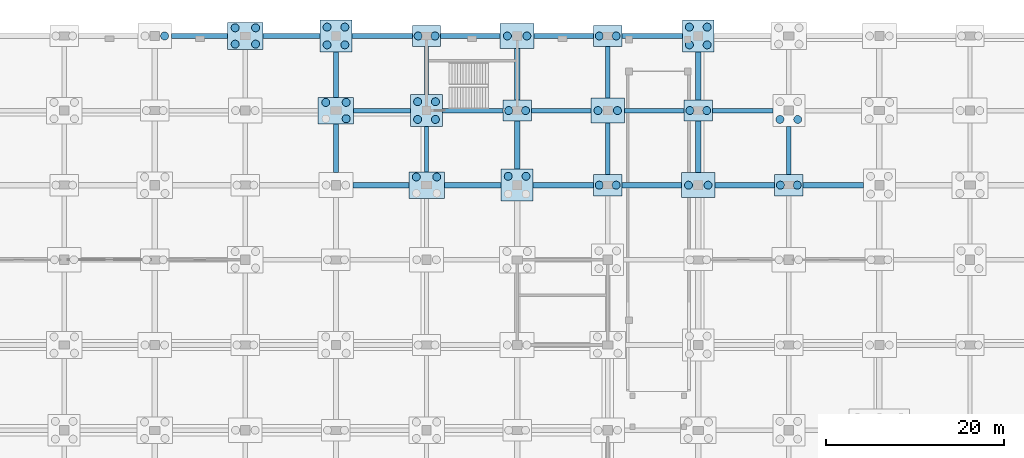
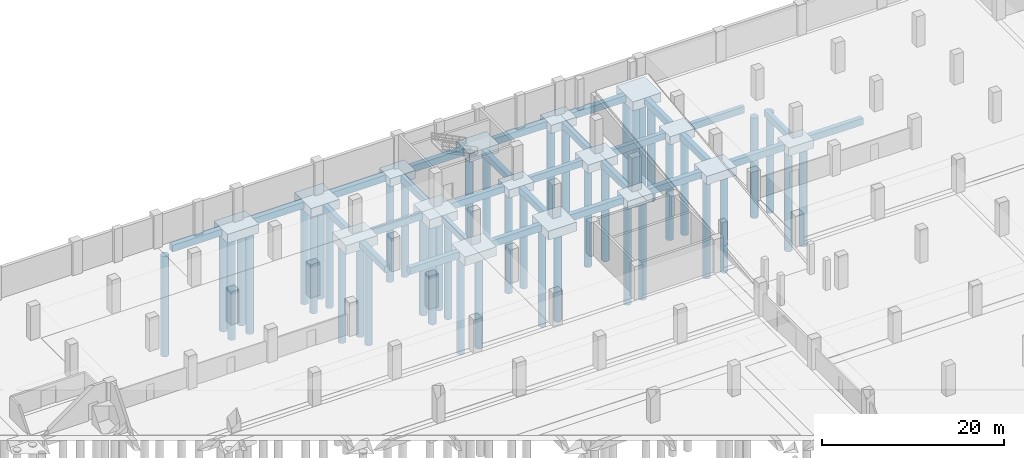
# One storey, part 19 of 52: 44 footings, 44 piles.
"""IFC4 building model written with IfcOpenShell, lengths in metres."""

from ifc_helpers import new_model, si_unit, direction, frame, origin, origin_2d, place, context, subcontext, project, spatial, polyline, rectangle, circle, outline, extrude, material, material_profile, profile_set, type_object, element, save


model = new_model("IFC4")

# Units and contexts
model_context = context("Model", 3, precision=1e-05, world=origin(), true_north=direction((0.0, 1.0)))
body_context = subcontext(model_context, "Body", "Model", "MODEL_VIEW")
ifc_project = project(units=[si_unit("LENGTHUNIT", "METRE"), si_unit("AREAUNIT", "SQUARE_METRE"), si_unit("VOLUMEUNIT", "CUBIC_METRE"), si_unit("PLANEANGLEUNIT", "RADIAN"), si_unit("MASSUNIT", "GRAM", prefix="KILO")], contexts=[model_context])

# Site, building, storey
site_placement = place(None, origin())
site = spatial("IfcSite", under=ifc_project, at=site_placement, CompositionType="ELEMENT")
building_placement = place(site_placement, origin())
building = spatial("IfcBuilding", under=site, at=building_placement, Name="Brelvane Convention Centre", CompositionType="ELEMENT")
storey_placement = place(building_placement, frame((0.0, 0.0, -4.5)))
storey = spatial("IfcBuildingStorey", under=building, at=storey_placement, Name="B1", CompositionType="ELEMENT", Elevation=-4.5)

# Piles
ifc_material_1 = material(Name="Concrete M40", Category="concrete")
ifc_material_profile_1 = material_profile(ifc_material_1, circle(Radius=0.449951171875, at=origin_2d()), Name="PILE D900")
ifc_profile_set_1 = profile_set([ifc_material_profile_1], Name="Concrete M40")
pile_type = type_object("IfcPileType", Name="Bored Pile PL-900", PredefinedType="BORED", material=ifc_profile_set_1)
pile_placement = place(storey_placement, frame((62.300048828125, 144.0, -1.5), z_axis=(0.0, 0.0, -1.0), x_axis=(1.0, 0.0, 0.0)))
element("IfcPile", 1, at=pile_placement, inside=storey, type_object=pile_type, Name="Bored Pile PL-900 7-Q-2", PredefinedType="BORED", context=body_context, shape_type="SweptSolid", body=[
    extrude(circle(Radius=0.449951171875, at=origin_2d()), origin(), (0.0, 0.0, 1.0), 13.5),
])
for number, where, z_axis, x_axis, name in (
    (2, (70.25, 143.080078125, -1.550048828125), (0.0, 0.0, -1.0), (1.0, 0.0, 0.0), "Bored Pile PL-900 8-Q-1"),
    (3, (72.550048828125, 143.080078125, -1.550048828125), (0.0, 0.0, -1.0), (1.0, 0.0, 0.0), "Bored Pile PL-900 8-Q-2"),
    (4, (70.25, 144.919921875, -1.550048828125), (0.0, 0.0, -1.0), (1.0, 0.0, 0.0), "Bored Pile PL-900 8-Q-3"),
    (5, (72.550048828125, 144.919921875, -1.550048828125), (0.0, 0.0, -1.0), (1.0, 0.0, 0.0), "Bored Pile PL-900 8-Q-4"),
    (6, (82.75, 134.679931640625, -1.550048828125), (0.0, 0.0, -1.0), (1.0, 0.0, 0.0), "Bored Pile PL-900 9-P-2"),
    (7, (80.449951171875, 136.52001953125, -1.550048828125), (0.0, 0.0, -1.0), (1.0, 0.0, 0.0), "Bored Pile PL-900 9-P-3"),
    (8, (82.75, 136.52001953125, -1.550048828125), (0.0, 0.0, -1.0), (1.0, 0.0, 0.0), "Bored Pile PL-900 9-P-4"),
    (9, (80.60009765625, 143.0, -1.550048828125), (0.0, 0.0, -1.0), (1.0, 0.0, 0.0), "Bored Pile PL-900 9-Q-1"),
    (10, (82.60009765625, 143.0, -1.550048828125), (0.0, 0.0, -1.0), (1.0, 0.0, 0.0), "Bored Pile PL-900 9-Q-2"),
    (11, (80.60009765625, 145.0, -1.550048828125), (0.0, 0.0, -1.0), (1.0, 0.0, 0.0), "Bored Pile PL-900 9-Q-3"),
    (12, (82.60009765625, 145.0, -1.550048828125), (0.0, 0.0, -1.0), (1.0, 0.0, 0.0), "Bored Pile PL-900 9-Q-4"),
    (13, (90.64990234375, 128.1201171875, -1.550048828125), (0.0, 0.0, -1.0), (1.0, 0.0, 0.0), "Bored Pile PL-900 10-N-3"),
    (14, (92.949951171875, 128.1201171875, -1.550048828125), (0.0, 0.0, -1.0), (1.0, 0.0, 0.0), "Bored Pile PL-900 10-N-4"),
    (15, (90.800048828125, 134.60009765625, -1.550048828125), (0.0, 0.0, -1.0), (1.0, 0.0, 0.0), "Bored Pile PL-900 10-P-1"),
    (16, (92.800048828125, 134.60009765625, -1.550048828125), (0.0, 0.0, -1.0), (1.0, 0.0, 0.0), "Bored Pile PL-900 10-P-2"),
    (17, (90.800048828125, 136.60009765625, -1.550048828125), (0.0, 0.0, -1.0), (1.0, 0.0, 0.0), "Bored Pile PL-900 10-P-3"),
    (18, (92.800048828125, 136.60009765625, -1.550048828125), (0.0, 0.0, -1.0), (1.0, 0.0, 0.0), "Bored Pile PL-900 10-P-4"),
):
    element("IfcPile", number, at=place(storey_placement, frame(where, z_axis=z_axis, x_axis=x_axis)), inside=storey, type_object=pile_type, Name=name, PredefinedType="BORED", context=body_context, shape_type="SweptSolid", body=[
        extrude(circle(Radius=0.449951171875, at=origin_2d()), origin(), (0.0, 0.0, 1.0), 13.449951171875),
    ])
for number, where, z_axis, x_axis, name in (
    (19, (90.85009765625, 144.0, -1.449951171875), (0.0, 0.0, -1.0), (1.0, 0.0, 0.0), "Bored Pile PL-900 10-Q-1"),
    (20, (92.75, 144.0, -1.449951171875), (0.0, 0.0, -1.0), (1.0, 0.0, 0.0), "Bored Pile PL-900 10-Q-2"),
):
    element("IfcPile", number, at=place(storey_placement, frame(where, z_axis=z_axis, x_axis=x_axis)), inside=storey, type_object=pile_type, Name=name, PredefinedType="BORED", context=body_context, shape_type="SweptSolid", body=[
        extrude(circle(Radius=0.449951171875, at=origin_2d()), origin(), (0.0, 0.0, 1.0), 13.550048828125),
    ])
for number, where, z_axis, x_axis, name in (
    (21, (101.0, 128.199951171875, -1.550048828125), (0.0, 0.0, -1.0), (1.0, 0.0, 0.0), "Bored Pile PL-900 11-N-3"),
    (22, (103.0, 128.199951171875, -1.550048828125), (0.0, 0.0, -1.0), (1.0, 0.0, 0.0), "Bored Pile PL-900 11-N-4"),
):
    element("IfcPile", number, at=place(storey_placement, frame(where, z_axis=z_axis, x_axis=x_axis)), inside=storey, type_object=pile_type, Name=name, PredefinedType="BORED", context=body_context, shape_type="SweptSolid", body=[
        extrude(circle(Radius=0.449951171875, at=origin_2d()), origin(), (0.0, 0.0, 1.0), 13.449951171875),
    ])
for number, where, z_axis, x_axis, name in (
    (23, (101.050048828125, 135.60009765625, -1.449951171875), (0.0, 0.0, -1.0), (1.0, 0.0, 0.0), "Bored Pile PL-900 11-P-1"),
    (24, (102.949951171875, 135.60009765625, -1.449951171875), (0.0, 0.0, -1.0), (1.0, 0.0, 0.0), "Bored Pile PL-900 11-P-2"),
):
    element("IfcPile", number, at=place(storey_placement, frame(where, z_axis=z_axis, x_axis=x_axis)), inside=storey, type_object=pile_type, Name=name, PredefinedType="BORED", context=body_context, shape_type="SweptSolid", body=[
        extrude(circle(Radius=0.449951171875, at=origin_2d()), origin(), (0.0, 0.0, 1.0), 13.550048828125),
    ])
for number, where, z_axis, x_axis, name in (
    (25, (100.89990234375, 144.0, -1.5), (0.0, 0.0, -1.0), (1.0, 0.0, 0.0), "Bored Pile PL-900 11-Q-1"),
    (26, (103.10009765625, 144.0, -1.5), (0.0, 0.0, -1.0), (1.0, 0.0, 0.0), "Bored Pile PL-900 11-Q-2"),
):
    element("IfcPile", number, at=place(storey_placement, frame(where, z_axis=z_axis, x_axis=x_axis)), inside=storey, type_object=pile_type, Name=name, PredefinedType="BORED", context=body_context, shape_type="SweptSolid", body=[
        extrude(circle(Radius=0.449951171875, at=origin_2d()), origin(), (0.0, 0.0, 1.0), 13.5),
    ])
for number, where, z_axis, x_axis, name in (
    (27, (111.25, 127.199951171875, -1.449951171875), (0.0, 0.0, -1.0), (1.0, 0.0, 0.0), "Bored Pile PL-900 12-N-1"),
    (28, (113.14990234375, 127.199951171875, -1.449951171875), (0.0, 0.0, -1.0), (1.0, 0.0, 0.0), "Bored Pile PL-900 12-N-2"),
):
    element("IfcPile", number, at=place(storey_placement, frame(where, z_axis=z_axis, x_axis=x_axis)), inside=storey, type_object=pile_type, Name=name, PredefinedType="BORED", context=body_context, shape_type="SweptSolid", body=[
        extrude(circle(Radius=0.449951171875, at=origin_2d()), origin(), (0.0, 0.0, 1.0), 13.550048828125),
    ])
for number, where, z_axis, x_axis, name in (
    (29, (111.10009765625, 135.60009765625, -1.5), (0.0, 0.0, -1.0), (1.0, 0.0, 0.0), "Bored Pile PL-900 12-P-1"),
    (30, (113.300048828125, 135.60009765625, -1.5), (0.0, 0.0, -1.0), (1.0, 0.0, 0.0), "Bored Pile PL-900 12-P-2"),
):
    element("IfcPile", number, at=place(storey_placement, frame(where, z_axis=z_axis, x_axis=x_axis)), inside=storey, type_object=pile_type, Name=name, PredefinedType="BORED", context=body_context, shape_type="SweptSolid", body=[
        extrude(circle(Radius=0.449951171875, at=origin_2d()), origin(), (0.0, 0.0, 1.0), 13.5),
    ])
for number, where, z_axis, x_axis, name in (
    (31, (111.25, 144.0, -1.449951171875), (0.0, 0.0, -1.0), (1.0, 0.0, 0.0), "Bored Pile PL-900 12-Q-1"),
    (32, (113.14990234375, 144.0, -1.449951171875), (0.0, 0.0, -1.0), (1.0, 0.0, 0.0), "Bored Pile PL-900 12-Q-2"),
):
    element("IfcPile", number, at=place(storey_placement, frame(where, z_axis=z_axis, x_axis=x_axis)), inside=storey, type_object=pile_type, Name=name, PredefinedType="BORED", context=body_context, shape_type="SweptSolid", body=[
        extrude(circle(Radius=0.449951171875, at=origin_2d()), origin(), (0.0, 0.0, 1.0), 13.550048828125),
    ])
for number, where, z_axis, x_axis, name in (
    (33, (121.300048828125, 127.199951171875, -1.5), (0.0, 0.0, -1.0), (1.0, 0.0, 0.0), "Bored Pile PL-900 13-N-1"),
    (34, (123.5, 127.199951171875, -1.5), (0.0, 0.0, -1.0), (1.0, 0.0, 0.0), "Bored Pile PL-900 13-N-2"),
):
    element("IfcPile", number, at=place(storey_placement, frame(where, z_axis=z_axis, x_axis=x_axis)), inside=storey, type_object=pile_type, Name=name, PredefinedType="BORED", context=body_context, shape_type="SweptSolid", body=[
        extrude(circle(Radius=0.449951171875, at=origin_2d()), origin(), (0.0, 0.0, 1.0), 13.5),
    ])
for number, where, z_axis, x_axis, name in (
    (35, (121.449951171875, 135.60009765625, -1.449951171875), (0.0, 0.0, -1.0), (1.0, 0.0, 0.0), "Bored Pile PL-900 13-P-1"),
    (36, (123.35009765625, 135.60009765625, -1.449951171875), (0.0, 0.0, -1.0), (1.0, 0.0, 0.0), "Bored Pile PL-900 13-P-2"),
):
    element("IfcPile", number, at=place(storey_placement, frame(where, z_axis=z_axis, x_axis=x_axis)), inside=storey, type_object=pile_type, Name=name, PredefinedType="BORED", context=body_context, shape_type="SweptSolid", body=[
        extrude(circle(Radius=0.449951171875, at=origin_2d()), origin(), (0.0, 0.0, 1.0), 13.550048828125),
    ])
for number, where, z_axis, x_axis, name in (
    (37, (121.39990234375, 143.0, -1.550048828125), (0.0, 0.0, -1.0), (1.0, 0.0, 0.0), "Bored Pile PL-900 13-Q-1"),
    (38, (123.39990234375, 143.0, -1.550048828125), (0.0, 0.0, -1.0), (1.0, 0.0, 0.0), "Bored Pile PL-900 13-Q-2"),
    (39, (121.39990234375, 145.0, -1.550048828125), (0.0, 0.0, -1.0), (1.0, 0.0, 0.0), "Bored Pile PL-900 13-Q-3"),
    (40, (123.39990234375, 145.0, -1.550048828125), (0.0, 0.0, -1.0), (1.0, 0.0, 0.0), "Bored Pile PL-900 13-Q-4"),
):
    element("IfcPile", number, at=place(storey_placement, frame(where, z_axis=z_axis, x_axis=x_axis)), inside=storey, type_object=pile_type, Name=name, PredefinedType="BORED", context=body_context, shape_type="SweptSolid", body=[
        extrude(circle(Radius=0.449951171875, at=origin_2d()), origin(), (0.0, 0.0, 1.0), 13.449951171875),
    ])
for number, where, z_axis, x_axis, name in (
    (41, (131.64990234375, 127.199951171875, -1.449951171875), (0.0, 0.0, -1.0), (1.0, 0.0, 0.0), "Bored Pile PL-900 14-N-1"),
    (42, (133.550048828125, 127.199951171875, -1.449951171875), (0.0, 0.0, -1.0), (1.0, 0.0, 0.0), "Bored Pile PL-900 14-N-2"),
):
    element("IfcPile", number, at=place(storey_placement, frame(where, z_axis=z_axis, x_axis=x_axis)), inside=storey, type_object=pile_type, Name=name, PredefinedType="BORED", context=body_context, shape_type="SweptSolid", body=[
        extrude(circle(Radius=0.449951171875, at=origin_2d()), origin(), (0.0, 0.0, 1.0), 13.550048828125),
    ])
for number, where, z_axis, x_axis, name in (
    (43, (131.60009765625, 134.60009765625, -1.550048828125), (0.0, 0.0, -1.0), (1.0, 0.0, 0.0), "Bored Pile PL-900 14-P-1"),
    (44, (133.60009765625, 134.60009765625, -1.550048828125), (0.0, 0.0, -1.0), (1.0, 0.0, 0.0), "Bored Pile PL-900 14-P-2"),
):
    element("IfcPile", number, at=place(storey_placement, frame(where, z_axis=z_axis, x_axis=x_axis)), inside=storey, type_object=pile_type, Name=name, PredefinedType="BORED", context=body_context, shape_type="SweptSolid", body=[
        extrude(circle(Radius=0.449951171875, at=origin_2d()), origin(), (0.0, 0.0, 1.0), 13.449951171875),
    ])

# Footings
ifc_material_2 = material(Name="Concrete M40", Category="concrete")
ifc_material_profile_2 = material_profile(ifc_material_2, rectangle(XDim=0.60009765625, YDim=0.89990234375, at=origin_2d()), Name="RC 600x900")
ifc_profile_set_2 = profile_set([ifc_material_profile_2], Name="Concrete M40")
footing_type_1 = type_object("IfcFootingType", Name="Ground Tie Beam GB-1", PredefinedType="FOOTING_BEAM", material=ifc_profile_set_2)
footing_1_placement = place(storey_placement, frame((63.10009765625, 144.0, -0.89990234375), z_axis=(1.0, 0.0, 0.0), x_axis=(0.0, 1.0, 0.0)))
element("IfcFooting", 45, at=footing_1_placement, inside=storey, type_object=footing_type_1, Name="Ground Tie Beam GB-1 7-8/Q", PredefinedType="FOOTING_BEAM", context=body_context, shape_type="SweptSolid", body=[
    extrude(rectangle(XDim=0.60009765625, YDim=0.89990234375, at=origin_2d()), origin(), (0.0, 0.0, 1.0), 6.2998046875),
])
footing_2_placement = place(storey_placement, frame((73.39990234375, 144.0, -0.89990234375), z_axis=(1.0, 0.0, 0.0), x_axis=(0.0, 1.0, 0.0)))
element("IfcFooting", 46, at=footing_2_placement, inside=storey, type_object=footing_type_1, Name="Ground Tie Beam GB-1 8-9/Q", PredefinedType="FOOTING_BEAM", context=body_context, shape_type="SweptSolid", body=[
    extrude(rectangle(XDim=0.60009765625, YDim=0.89990234375, at=origin_2d()), origin(), (0.0, 0.0, 1.0), 6.400146484375),
])
footing_3_placement = place(storey_placement, frame((83.5, 127.199951171875, -0.89990234375), z_axis=(1.0, 0.0, 0.0), x_axis=(0.0, 1.0, 0.0)))
element("IfcFooting", 47, at=footing_3_placement, inside=storey, type_object=footing_type_1, Name="Ground Tie Beam GB-1 9-10/N", PredefinedType="FOOTING_BEAM", context=body_context, shape_type="SweptSolid", body=[
    extrude(rectangle(XDim=0.60009765625, YDim=0.89990234375, at=origin_2d()), origin(), (0.0, 0.0, 1.0), 6.300048828125),
])
footing_4_placement = place(storey_placement, frame((81.60009765625, 128.60009765625, -0.89990234375), z_axis=(0.0, 1.0, 0.0), x_axis=(-1.0, 0.0, 0.0)))
element("IfcFooting", 48, at=footing_4_placement, inside=storey, type_object=footing_type_1, Name="Ground Tie Beam GB-1 9/N-P", PredefinedType="FOOTING_BEAM", context=body_context, shape_type="SweptSolid", body=[
    extrude(rectangle(XDim=0.60009765625, YDim=0.89990234375, at=origin_2d()), origin(), (0.0, 0.0, 1.0), 5.5),
])
footing_5_placement = place(storey_placement, frame((81.60009765625, 137.10009765625, -0.89990234375), z_axis=(0.0, 1.0, 0.0), x_axis=(-1.0, 0.0, 0.0)))
element("IfcFooting", 49, at=footing_5_placement, inside=storey, type_object=footing_type_1, Name="Ground Tie Beam GB-1 9/P-Q", PredefinedType="FOOTING_BEAM", context=body_context, shape_type="SweptSolid", body=[
    extrude(rectangle(XDim=0.60009765625, YDim=0.89990234375, at=origin_2d()), origin(), (0.0, 0.0, 1.0), 5.099853515625),
])
footing_6_placement = place(storey_placement, frame((83.39990234375, 144.0, -0.89990234375), z_axis=(1.0, 0.0, 0.0), x_axis=(0.0, 1.0, 0.0)))
element("IfcFooting", 50, at=footing_6_placement, inside=storey, type_object=footing_type_1, Name="Ground Tie Beam GB-1 9-10/Q", PredefinedType="FOOTING_BEAM", context=body_context, shape_type="SweptSolid", body=[
    extrude(rectangle(XDim=0.60009765625, YDim=0.89990234375, at=origin_2d()), origin(), (0.0, 0.0, 1.0), 6.800048828125),
])
footing_7_placement = place(storey_placement, frame((93.800048828125, 127.199951171875, -0.89990234375), z_axis=(1.0, 0.0, 0.0), x_axis=(0.0, 1.0, 0.0)))
element("IfcFooting", 51, at=footing_7_placement, inside=storey, type_object=footing_type_1, Name="Ground Tie Beam GB-1 10-11/N", PredefinedType="FOOTING_BEAM", context=body_context, shape_type="SweptSolid", body=[
    extrude(rectangle(XDim=0.60009765625, YDim=0.89990234375, at=origin_2d()), origin(), (0.0, 0.0, 1.0), 6.39990234375),
])
footing_8_placement = place(storey_placement, frame((93.39990234375, 144.0, -0.89990234375), z_axis=(1.0, 0.0, 0.0), x_axis=(0.0, 1.0, 0.0)))
element("IfcFooting", 52, at=footing_8_placement, inside=storey, type_object=footing_type_1, Name="Ground Tie Beam GB-1 10-11/Q", PredefinedType="FOOTING_BEAM", context=body_context, shape_type="SweptSolid", body=[
    extrude(rectangle(XDim=0.60009765625, YDim=0.89990234375, at=origin_2d()), origin(), (0.0, 0.0, 1.0), 6.7001953125),
])
footing_9_placement = place(storey_placement, frame((103.800048828125, 127.199951171875, -0.89990234375), z_axis=(1.0, 0.0, 0.0), x_axis=(0.0, 1.0, 0.0)))
element("IfcFooting", 53, at=footing_9_placement, inside=storey, type_object=footing_type_1, Name="Ground Tie Beam GB-1 11-12/N", PredefinedType="FOOTING_BEAM", context=body_context, shape_type="SweptSolid", body=[
    extrude(rectangle(XDim=0.60009765625, YDim=0.89990234375, at=origin_2d()), origin(), (0.0, 0.0, 1.0), 6.800048828125),
])
footing_10_placement = place(storey_placement, frame((102.0, 129.0, -0.89990234375), z_axis=(0.0, 1.0, 0.0), x_axis=(-1.0, 0.0, 0.0)))
element("IfcFooting", 54, at=footing_10_placement, inside=storey, type_object=footing_type_1, Name="Ground Tie Beam GB-1 11/N-P", PredefinedType="FOOTING_BEAM", context=body_context, shape_type="SweptSolid", body=[
    extrude(rectangle(XDim=0.60009765625, YDim=0.89990234375, at=origin_2d()), origin(), (0.0, 0.0, 1.0), 5.39990234375),
])
footing_11_placement = place(storey_placement, frame((102.0, 136.800048828125, -0.89990234375), z_axis=(0.0, 1.0, 0.0), x_axis=(-1.0, 0.0, 0.0)))
element("IfcFooting", 55, at=footing_11_placement, inside=storey, type_object=footing_type_1, Name="Ground Tie Beam GB-1 11/P-Q", PredefinedType="FOOTING_BEAM", context=body_context, shape_type="SweptSolid", body=[
    extrude(rectangle(XDim=0.60009765625, YDim=0.89990234375, at=origin_2d()), origin(), (0.0, 0.0, 1.0), 5.800048828125),
])
footing_12_placement = place(storey_placement, frame((103.89990234375, 144.0, -0.89990234375), z_axis=(1.0, 0.0, 0.0), x_axis=(0.0, 1.0, 0.0)))
element("IfcFooting", 56, at=footing_12_placement, inside=storey, type_object=footing_type_1, Name="Ground Tie Beam GB-1 11-12/Q", PredefinedType="FOOTING_BEAM", context=body_context, shape_type="SweptSolid", body=[
    extrude(rectangle(XDim=0.60009765625, YDim=0.89990234375, at=origin_2d()), origin(), (0.0, 0.0, 1.0), 6.7001953125),
])
footing_13_placement = place(storey_placement, frame((113.800048828125, 127.199951171875, -0.89990234375), z_axis=(1.0, 0.0, 0.0), x_axis=(0.0, 1.0, 0.0)))
element("IfcFooting", 57, at=footing_13_placement, inside=storey, type_object=footing_type_1, Name="Ground Tie Beam GB-1 12-13/N", PredefinedType="FOOTING_BEAM", context=body_context, shape_type="SweptSolid", body=[
    extrude(rectangle(XDim=0.60009765625, YDim=0.89990234375, at=origin_2d()), origin(), (0.0, 0.0, 1.0), 6.699951171875),
])
footing_14_placement = place(storey_placement, frame((113.800048828125, 144.0, -0.89990234375), z_axis=(1.0, 0.0, 0.0), x_axis=(0.0, 1.0, 0.0)))
element("IfcFooting", 58, at=footing_14_placement, inside=storey, type_object=footing_type_1, Name="Ground Tie Beam GB-1 12-13/Q", PredefinedType="FOOTING_BEAM", context=body_context, shape_type="SweptSolid", body=[
    extrude(rectangle(XDim=0.60009765625, YDim=0.89990234375, at=origin_2d()), origin(), (0.0, 0.0, 1.0), 6.800048828125),
])
footing_15_placement = place(storey_placement, frame((124.300048828125, 127.199951171875, -0.89990234375), z_axis=(1.0, 0.0, 0.0), x_axis=(0.0, 1.0, 0.0)))
element("IfcFooting", 59, at=footing_15_placement, inside=storey, type_object=footing_type_1, Name="Ground Tie Beam GB-1 13-14/N", PredefinedType="FOOTING_BEAM", context=body_context, shape_type="SweptSolid", body=[
    extrude(rectangle(XDim=0.60009765625, YDim=0.89990234375, at=origin_2d()), origin(), (0.0, 0.0, 1.0), 6.699951171875),
])
footing_16_placement = place(storey_placement, frame((122.39990234375, 128.60009765625, -0.89990234375), z_axis=(0.0, 1.0, 0.0), x_axis=(-1.0, 0.0, 0.0)))
element("IfcFooting", 60, at=footing_16_placement, inside=storey, type_object=footing_type_1, Name="Ground Tie Beam GB-1 13/N-P", PredefinedType="FOOTING_BEAM", context=body_context, shape_type="SweptSolid", body=[
    extrude(rectangle(XDim=0.60009765625, YDim=0.89990234375, at=origin_2d()), origin(), (0.0, 0.0, 1.0), 5.7998046875),
])
footing_17_placement = place(storey_placement, frame((122.39990234375, 136.800048828125, -0.89990234375), z_axis=(0.0, 1.0, 0.0), x_axis=(-1.0, 0.0, 0.0)))
element("IfcFooting", 61, at=footing_17_placement, inside=storey, type_object=footing_type_1, Name="Ground Tie Beam GB-1 13/P-Q", PredefinedType="FOOTING_BEAM", context=body_context, shape_type="SweptSolid", body=[
    extrude(rectangle(XDim=0.60009765625, YDim=0.89990234375, at=origin_2d()), origin(), (0.0, 0.0, 1.0), 5.39990234375),
])
footing_18_placement = place(storey_placement, frame((134.199951171875, 127.199951171875, -0.89990234375), z_axis=(1.0, 0.0, 0.0), x_axis=(0.0, 1.0, 0.0)))
element("IfcFooting", 62, at=footing_18_placement, inside=storey, type_object=footing_type_1, Name="Ground Tie Beam GB-1 14-15/N", PredefinedType="FOOTING_BEAM", context=body_context, shape_type="SweptSolid", body=[
    extrude(rectangle(XDim=0.60009765625, YDim=0.89990234375, at=origin_2d()), origin(), (0.0, 0.0, 1.0), 6.800048828125),
])
ifc_material_3 = material(Name="Concrete M40", Category="concrete")
ifc_material_profile_3 = material_profile(ifc_material_3, rectangle(XDim=0.5, YDim=0.89990234375, at=origin_2d()), Name="RC 500x900")
ifc_profile_set_3 = profile_set([ifc_material_profile_3], Name="Concrete M40")
footing_type_2 = type_object("IfcFootingType", Name="Ground Tie Beam GB-2", PredefinedType="FOOTING_BEAM", material=ifc_profile_set_3)
footing_19_placement = place(storey_placement, frame((83.60009765625, 135.60009765625, -0.89990234375), z_axis=(1.0, 0.0, 0.0), x_axis=(0.0, 1.0, 0.0)))
element("IfcFooting", 63, at=footing_19_placement, inside=storey, type_object=footing_type_2, Name="Ground Tie Beam GB-2 9-10/P", PredefinedType="FOOTING_BEAM", context=body_context, shape_type="SweptSolid", body=[
    extrude(rectangle(XDim=0.5, YDim=0.89990234375, at=origin_2d()), origin(), (0.0, 0.0, 1.0), 6.39990234375),
])
footing_20_placement = place(storey_placement, frame((91.800048828125, 128.699951171875, -0.89990234375), z_axis=(0.0, 1.0, 0.0), x_axis=(-1.0, 0.0, 0.0)))
element("IfcFooting", 64, at=footing_20_placement, inside=storey, type_object=footing_type_2, Name="Ground Tie Beam GB-2 10/N-P", PredefinedType="FOOTING_BEAM", context=body_context, shape_type="SweptSolid", body=[
    extrude(rectangle(XDim=0.5, YDim=0.89990234375, at=origin_2d()), origin(), (0.0, 0.0, 1.0), 5.10009765625),
])
footing_21_placement = place(storey_placement, frame((93.60009765625, 135.60009765625, -0.89990234375), z_axis=(1.0, 0.0, 0.0), x_axis=(0.0, 1.0, 0.0)))
element("IfcFooting", 65, at=footing_21_placement, inside=storey, type_object=footing_type_2, Name="Ground Tie Beam GB-2 10-11/P", PredefinedType="FOOTING_BEAM", context=body_context, shape_type="SweptSolid", body=[
    extrude(rectangle(XDim=0.5, YDim=0.89990234375, at=origin_2d()), origin(), (0.0, 0.0, 1.0), 6.7998046875),
])
footing_22_placement = place(storey_placement, frame((91.800048828125, 137.39990234375, -0.89990234375), z_axis=(0.0, 1.0, 0.0), x_axis=(-1.0, 0.0, 0.0)))
element("IfcFooting", 66, at=footing_22_placement, inside=storey, type_object=footing_type_2, Name="Ground Tie Beam GB-2 10/P-Q", PredefinedType="FOOTING_BEAM", context=body_context, shape_type="SweptSolid", body=[
    extrude(rectangle(XDim=0.5, YDim=0.89990234375, at=origin_2d()), origin(), (0.0, 0.0, 1.0), 5.400146484375),
])
footing_23_placement = place(storey_placement, frame((103.60009765625, 135.60009765625, -0.89990234375), z_axis=(1.0, 0.0, 0.0), x_axis=(0.0, 1.0, 0.0)))
element("IfcFooting", 67, at=footing_23_placement, inside=storey, type_object=footing_type_2, Name="Ground Tie Beam GB-2 11-12/P", PredefinedType="FOOTING_BEAM", context=body_context, shape_type="SweptSolid", body=[
    extrude(rectangle(XDim=0.5, YDim=0.89990234375, at=origin_2d()), origin(), (0.0, 0.0, 1.0), 6.699951171875),
])
footing_24_placement = place(storey_placement, frame((112.199951171875, 128.39990234375, -0.89990234375), z_axis=(0.0, 1.0, 0.0), x_axis=(-1.0, 0.0, 0.0)))
element("IfcFooting", 68, at=footing_24_placement, inside=storey, type_object=footing_type_2, Name="Ground Tie Beam GB-2 12/N-P", PredefinedType="FOOTING_BEAM", context=body_context, shape_type="SweptSolid", body=[
    extrude(rectangle(XDim=0.5, YDim=0.89990234375, at=origin_2d()), origin(), (0.0, 0.0, 1.0), 5.800048828125),
])
footing_25_placement = place(storey_placement, frame((114.10009765625, 135.60009765625, -0.89990234375), z_axis=(1.0, 0.0, 0.0), x_axis=(0.0, 1.0, 0.0)))
element("IfcFooting", 69, at=footing_25_placement, inside=storey, type_object=footing_type_2, Name="Ground Tie Beam GB-2 12-13/P", PredefinedType="FOOTING_BEAM", context=body_context, shape_type="SweptSolid", body=[
    extrude(rectangle(XDim=0.5, YDim=0.89990234375, at=origin_2d()), origin(), (0.0, 0.0, 1.0), 6.699951171875),
])
footing_26_placement = place(storey_placement, frame((112.199951171875, 137.0, -0.89990234375), z_axis=(0.0, 1.0, 0.0), x_axis=(-1.0, 0.0, 0.0)))
element("IfcFooting", 70, at=footing_26_placement, inside=storey, type_object=footing_type_2, Name="Ground Tie Beam GB-2 12/P-Q", PredefinedType="FOOTING_BEAM", context=body_context, shape_type="SweptSolid", body=[
    extrude(rectangle(XDim=0.5, YDim=0.89990234375, at=origin_2d()), origin(), (0.0, 0.0, 1.0), 5.800048828125),
])
footing_27_placement = place(storey_placement, frame((124.0, 135.60009765625, -0.89990234375), z_axis=(1.0, 0.0, 0.0), x_axis=(0.0, 1.0, 0.0)))
element("IfcFooting", 71, at=footing_27_placement, inside=storey, type_object=footing_type_2, Name="Ground Tie Beam GB-2 13-14/P", PredefinedType="FOOTING_BEAM", context=body_context, shape_type="SweptSolid", body=[
    extrude(rectangle(XDim=0.5, YDim=0.89990234375, at=origin_2d()), origin(), (0.0, 0.0, 1.0), 6.800048828125),
])
footing_28_placement = place(storey_placement, frame((132.60009765625, 128.39990234375, -0.89990234375), z_axis=(0.0, 1.0, 0.0), x_axis=(-1.0, 0.0, 0.0)))
element("IfcFooting", 72, at=footing_28_placement, inside=storey, type_object=footing_type_2, Name="Ground Tie Beam GB-2 14/N-P", PredefinedType="FOOTING_BEAM", context=body_context, shape_type="SweptSolid", body=[
    extrude(rectangle(XDim=0.5, YDim=0.89990234375, at=origin_2d()), origin(), (0.0, 0.0, 1.0), 5.400146484375),
])
ifc_material_4 = material(Name="Concrete M40", Category="concrete")
footing_type_3 = type_object("IfcFootingType", Name="Pile Cap PC-2", PredefinedType="PILE_CAP", material=ifc_material_4)
footing_29_placement = place(storey_placement, frame((0.0, 0.0, -1.550048828125)))
element("IfcFooting", 73, at=footing_29_placement, inside=storey, type_object=footing_type_3, Name="Pile Cap PC-2 at 10-Q", PredefinedType="PILE_CAP", context=body_context, shape_type="SweptSolid", body=[
    extrude(outline(polyline([(90.199951171875, 142.800048828125), (93.39990234375, 142.800048828125), (93.39990234375, 145.199951171875), (90.199951171875, 145.199951171875), (90.199951171875, 142.800048828125)])), origin(), (0.0, 0.0, 1.0), 1.10009765625),
])
footing_30_placement = place(storey_placement, frame((0.0, 0.0, -1.550048828125)))
element("IfcFooting", 74, at=footing_30_placement, inside=storey, type_object=footing_type_3, Name="Pile Cap PC-2 at 11-P", PredefinedType="PILE_CAP", context=body_context, shape_type="SweptSolid", body=[
    extrude(outline(polyline([(100.39990234375, 134.39990234375), (103.60009765625, 134.39990234375), (103.60009765625, 136.800048828125), (100.39990234375, 136.800048828125), (100.39990234375, 134.39990234375)])), origin(), (0.0, 0.0, 1.0), 1.10009765625),
])
footing_31_placement = place(storey_placement, frame((0.0, 0.0, -1.550048828125)))
element("IfcFooting", 75, at=footing_31_placement, inside=storey, type_object=footing_type_3, Name="Pile Cap PC-2 at 12-N", PredefinedType="PILE_CAP", context=body_context, shape_type="SweptSolid", body=[
    extrude(outline(polyline([(110.60009765625, 126.0), (113.800048828125, 126.0), (113.800048828125, 128.39990234375), (110.60009765625, 128.39990234375), (110.60009765625, 126.0)])), origin(), (0.0, 0.0, 1.0), 1.10009765625),
])
footing_32_placement = place(storey_placement, frame((0.0, 0.0, -1.550048828125)))
element("IfcFooting", 76, at=footing_32_placement, inside=storey, type_object=footing_type_3, Name="Pile Cap PC-2 at 12-Q", PredefinedType="PILE_CAP", context=body_context, shape_type="SweptSolid", body=[
    extrude(outline(polyline([(110.60009765625, 142.800048828125), (113.800048828125, 142.800048828125), (113.800048828125, 145.199951171875), (110.60009765625, 145.199951171875), (110.60009765625, 142.800048828125)])), origin(), (0.0, 0.0, 1.0), 1.10009765625),
])
footing_33_placement = place(storey_placement, frame((0.0, 0.0, -1.550048828125)))
element("IfcFooting", 77, at=footing_33_placement, inside=storey, type_object=footing_type_3, Name="Pile Cap PC-2 at 13-P", PredefinedType="PILE_CAP", context=body_context, shape_type="SweptSolid", body=[
    extrude(outline(polyline([(120.800048828125, 134.39990234375), (124.0, 134.39990234375), (124.0, 136.800048828125), (120.800048828125, 136.800048828125), (120.800048828125, 134.39990234375)])), origin(), (0.0, 0.0, 1.0), 1.10009765625),
])
footing_34_placement = place(storey_placement, frame((0.0, 0.0, -1.550048828125)))
element("IfcFooting", 78, at=footing_34_placement, inside=storey, type_object=footing_type_3, Name="Pile Cap PC-2 at 14-N", PredefinedType="PILE_CAP", context=body_context, shape_type="SweptSolid", body=[
    extrude(outline(polyline([(131.0, 126.0), (134.199951171875, 126.0), (134.199951171875, 128.39990234375), (131.0, 128.39990234375), (131.0, 126.0)])), origin(), (0.0, 0.0, 1.0), 1.10009765625),
])
ifc_material_5 = material(Name="Concrete M40", Category="concrete")
footing_type_4 = type_object("IfcFootingType", Name="Pile Cap PC-3", PredefinedType="PILE_CAP", material=ifc_material_5)
footing_35_placement = place(storey_placement, frame((0.0, 0.0, -1.64990234375)))
element("IfcFooting", 79, at=footing_35_placement, inside=storey, type_object=footing_type_4, Name="Pile Cap PC-3 at 9-Q", PredefinedType="PILE_CAP", context=body_context, shape_type="SweptSolid", body=[
    extrude(outline(polyline([(79.800048828125, 142.199951171875), (83.39990234375, 142.199951171875), (83.39990234375, 145.800048828125), (79.800048828125, 145.800048828125), (79.800048828125, 142.199951171875)])), origin(), (0.0, 0.0, 1.0), 1.199951171875),
])
footing_36_placement = place(storey_placement, frame((0.0, 0.0, -1.64990234375)))
element("IfcFooting", 80, at=footing_36_placement, inside=storey, type_object=footing_type_4, Name="Pile Cap PC-3 at 10-P", PredefinedType="PILE_CAP", context=body_context, shape_type="SweptSolid", body=[
    extrude(outline(polyline([(90.0, 133.800048828125), (93.60009765625, 133.800048828125), (93.60009765625, 137.39990234375), (90.0, 137.39990234375), (90.0, 133.800048828125)])), origin(), (0.0, 0.0, 1.0), 1.199951171875),
])
footing_37_placement = place(storey_placement, frame((0.0, 0.0, -1.64990234375)))
element("IfcFooting", 81, at=footing_37_placement, inside=storey, type_object=footing_type_4, Name="Pile Cap PC-3 at 11-N", PredefinedType="PILE_CAP", context=body_context, shape_type="SweptSolid", body=[
    extrude(outline(polyline([(100.199951171875, 125.39990234375), (103.800048828125, 125.39990234375), (103.800048828125, 129.0), (100.199951171875, 129.0), (100.199951171875, 125.39990234375)])), origin(), (0.0, 0.0, 1.0), 1.199951171875),
])
footing_38_placement = place(storey_placement, frame((0.0, 0.0, -1.64990234375)))
element("IfcFooting", 82, at=footing_38_placement, inside=storey, type_object=footing_type_4, Name="Pile Cap PC-3 at 13-Q", PredefinedType="PILE_CAP", context=body_context, shape_type="SweptSolid", body=[
    extrude(outline(polyline([(120.60009765625, 142.199951171875), (124.199951171875, 142.199951171875), (124.199951171875, 145.800048828125), (120.60009765625, 145.800048828125), (120.60009765625, 142.199951171875)])), origin(), (0.0, 0.0, 1.0), 1.199951171875),
])
ifc_material_6 = material(Name="Concrete M40", Category="concrete")
footing_type_5 = type_object("IfcFootingType", Name="Pile Cap PC-4", PredefinedType="PILE_CAP", material=ifc_material_6)
footing_39_placement = place(storey_placement, frame((0.0, 0.0, -1.64990234375)))
element("IfcFooting", 83, at=footing_39_placement, inside=storey, type_object=footing_type_5, Name="Pile Cap PC-4 at 8-Q", PredefinedType="PILE_CAP", context=body_context, shape_type="SweptSolid", body=[
    extrude(outline(polyline([(69.39990234375, 142.5), (73.39990234375, 142.5), (73.39990234375, 145.5), (69.39990234375, 145.5), (69.39990234375, 142.5)])), origin(), (0.0, 0.0, 1.0), 1.199951171875),
])
footing_40_placement = place(storey_placement, frame((0.0, 0.0, -1.64990234375)))
element("IfcFooting", 84, at=footing_40_placement, inside=storey, type_object=footing_type_5, Name="Pile Cap PC-4 at 9-P", PredefinedType="PILE_CAP", context=body_context, shape_type="SweptSolid", body=[
    extrude(outline(polyline([(79.60009765625, 134.10009765625), (83.60009765625, 134.10009765625), (83.60009765625, 137.10009765625), (79.60009765625, 137.10009765625), (79.60009765625, 134.10009765625)])), origin(), (0.0, 0.0, 1.0), 1.199951171875),
])
footing_41_placement = place(storey_placement, frame((0.0, 0.0, -1.64990234375)))
element("IfcFooting", 85, at=footing_41_placement, inside=storey, type_object=footing_type_5, Name="Pile Cap PC-4 at 10-N", PredefinedType="PILE_CAP", context=body_context, shape_type="SweptSolid", body=[
    extrude(outline(polyline([(89.800048828125, 125.699951171875), (93.800048828125, 125.699951171875), (93.800048828125, 128.699951171875), (89.800048828125, 128.699951171875), (89.800048828125, 125.699951171875)])), origin(), (0.0, 0.0, 1.0), 1.199951171875),
])
ifc_material_7 = material(Name="Concrete M40", Category="concrete")
footing_type_6 = type_object("IfcFootingType", Name="Pile Cap PC-9", PredefinedType="PILE_CAP", material=ifc_material_7)
footing_42_placement = place(storey_placement, frame((0.0, 0.0, -1.60009765625)))
element("IfcFooting", 86, at=footing_42_placement, inside=storey, type_object=footing_type_6, Name="Pile Cap PC-9 at 11-Q", PredefinedType="PILE_CAP", context=body_context, shape_type="SweptSolid", body=[
    extrude(outline(polyline([(100.10009765625, 142.60009765625), (103.89990234375, 142.60009765625), (103.89990234375, 145.39990234375), (100.10009765625, 145.39990234375), (100.10009765625, 142.60009765625)])), origin(), (0.0, 0.0, 1.0), 1.150146484375),
])
footing_43_placement = place(storey_placement, frame((0.0, 0.0, -1.60009765625)))
element("IfcFooting", 87, at=footing_43_placement, inside=storey, type_object=footing_type_6, Name="Pile Cap PC-9 at 12-P", PredefinedType="PILE_CAP", context=body_context, shape_type="SweptSolid", body=[
    extrude(outline(polyline([(110.300048828125, 134.199951171875), (114.10009765625, 134.199951171875), (114.10009765625, 137.0), (110.300048828125, 137.0), (110.300048828125, 134.199951171875)])), origin(), (0.0, 0.0, 1.0), 1.150146484375),
])
footing_44_placement = place(storey_placement, frame((0.0, 0.0, -1.60009765625)))
element("IfcFooting", 88, at=footing_44_placement, inside=storey, type_object=footing_type_6, Name="Pile Cap PC-9 at 13-N", PredefinedType="PILE_CAP", context=body_context, shape_type="SweptSolid", body=[
    extrude(outline(polyline([(120.5, 125.800048828125), (124.300048828125, 125.800048828125), (124.300048828125, 128.60009765625), (120.5, 128.60009765625), (120.5, 125.800048828125)])), origin(), (0.0, 0.0, 1.0), 1.150146484375),
])

save(model, "model.ifc")
